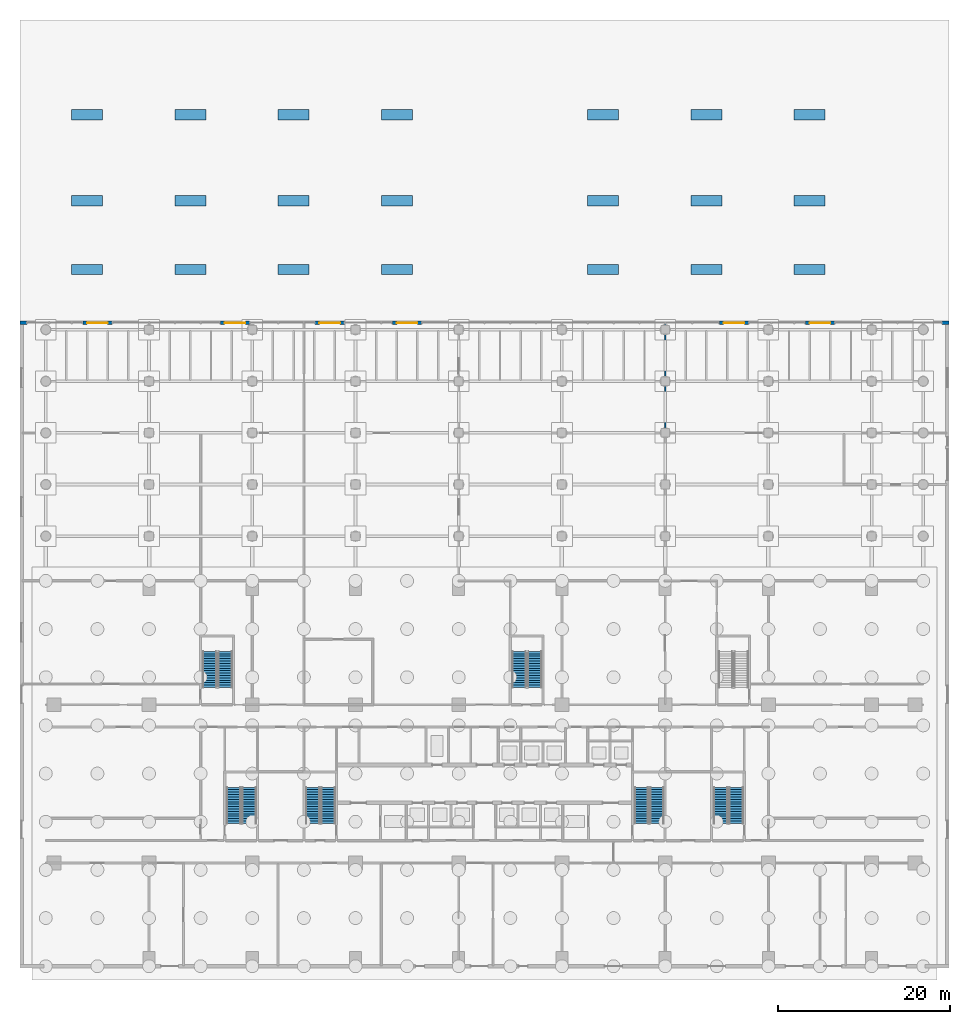
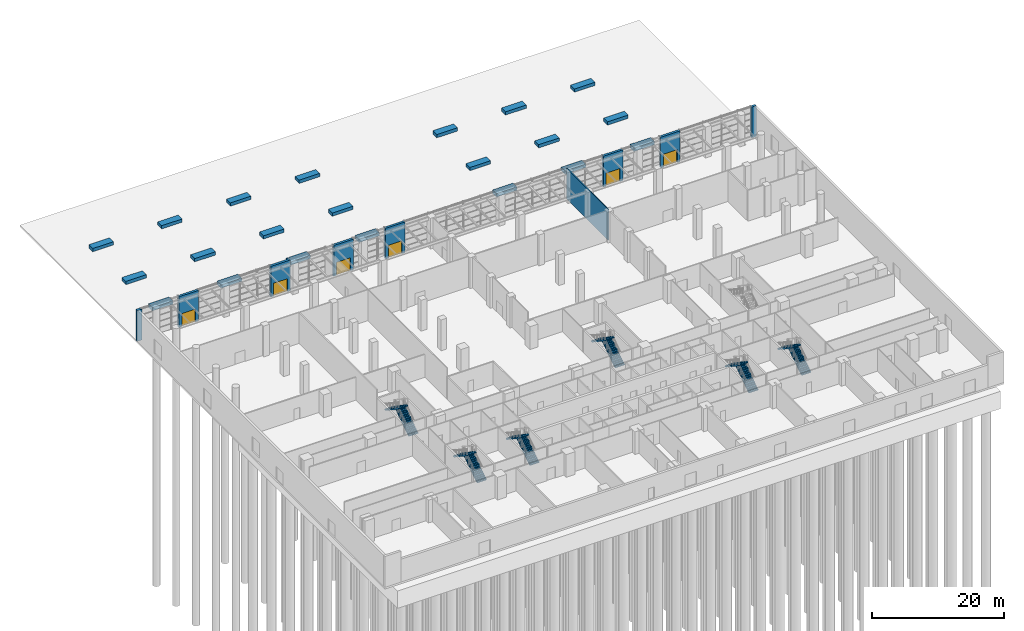
# One storey, part 23 of 27: 30 walls, 12 stair flights, 6 doors, 6 openings, 6 elements without a shape of their own.
"""IFC4 building model written with IfcOpenShell, lengths in metres."""

from ifc_helpers import new_model, si_unit, direction, frame, frame_2d, origin, place, context, subcontext, project, spatial, polyline, rectangle, outline, extrude, source, transform, mapped, material, layer, layer_set, type_object, element, fill, aggregate, save


model = new_model("IFC4")

# Units and contexts
model_context = context("Model", 3, precision=1e-05, world=origin(), true_north=direction((0.0, 1.0)))
body_context = subcontext(model_context, "Body", "Model", "MODEL_VIEW")
ifc_project = project(units=[si_unit("LENGTHUNIT", "METRE"), si_unit("AREAUNIT", "SQUARE_METRE"), si_unit("VOLUMEUNIT", "CUBIC_METRE"), si_unit("PLANEANGLEUNIT", "RADIAN"), si_unit("MASSUNIT", "GRAM", prefix="KILO")], contexts=[model_context])

# Site, building, storey
site_placement = place(None, origin())
site = spatial("IfcSite", under=ifc_project, at=site_placement, CompositionType="ELEMENT")
building_placement = place(site_placement, origin())
building = spatial("IfcBuilding", under=site, at=building_placement, Name="Poui Terraces", CompositionType="ELEMENT")
storey_placement = place(building_placement, origin())
storey = spatial("IfcBuildingStorey", under=building, at=storey_placement, Name="L00", CompositionType="ELEMENT", Elevation=0.0)

# Walls
ifc_material_1 = material(Name="Fire-rated plasterboard wall")
ifc_layer_1 = layer(ifc_material_1, 0.14990234375)
ifc_layer_set_1 = layer_set([ifc_layer_1], Name="Fire-rated plasterboard wall")
wall_type_1 = type_object("IfcWallType", Name="CORRIDOR WALL 150 5680 HIGH", PredefinedType="PARTITIONING", material=ifc_layer_set_1)
wall_1_placement = place(storey_placement, frame((72.0, 62.10009765625, 0.0), z_axis=(0.0, 0.0, 1.0), x_axis=(0.0, 1.0, 0.0)))
element("IfcWall", 1, at=wall_1_placement, inside=storey, type_object=wall_type_1, Name="CORRIDOR WALL 150", PredefinedType="PARTITIONING", context=body_context, shape_type="SweptSolid", body=[
    extrude(rectangle(XDim=12.639892578125, YDim=0.14990234375, at=frame_2d((6.31982421875, 0.0))), origin(), (0.0, 0.0, 1.0), 5.679931640625),
])
ifc_material_2 = material(Name="Precast concrete 40 MPa", Category="concrete")
ifc_layer_2 = layer(ifc_material_2, 0.39990234375)
ifc_layer_set_2 = layer_set([ifc_layer_2], Name="Precast concrete 40 MPa")
wall_type_2 = type_object("IfcWallType", Name="EXTERNAL WALL 400", PredefinedType="STANDARD", material=ifc_layer_set_2)
wall_2_placement = place(storey_placement, frame((105.0, 74.800048828125, 0.0), z_axis=(0.0, 0.0, 1.0), x_axis=(-1.0, 0.0, 0.0)))
element("IfcWall", 2, at=wall_2_placement, inside=storey, type_object=wall_type_2, Name="EXTERNAL WALL N", PredefinedType="STANDARD", context=body_context, shape_type="SweptSolid", body=[
    extrude(rectangle(XDim=0.800048828125, YDim=0.39990234375, at=frame_2d((0.39990234375, 0.0))), origin(), (0.0, 0.0, 1.0), 5.679931640625),
])

# Wall, opening, door
wall_3_placement = place(storey_placement, frame((91.699951171875, 74.800048828125, 0.0), z_axis=(0.0, 0.0, 1.0), x_axis=(-1.0, 0.0, 0.0)))
wall_3 = element("IfcWall", 3, at=wall_3_placement, inside=storey, type_object=wall_type_2, Name="EXTERNAL WALL N", PredefinedType="STANDARD", context=body_context, shape_type="SweptSolid", body=[
    extrude(rectangle(XDim=3.39990234375, YDim=0.39990234375, at=frame_2d((1.699951171875, 0.0))), origin(), (0.0, 0.0, 1.0), 5.679931640625),
])
opening_1_placement = place(wall_3_placement, frame((0.5, 0.0, 0.0)))
opening_1 = element("IfcOpeningElement", 4, at=opening_1_placement, cuts=wall_3, Name="Opening XSD240", PredefinedType="OPENING", context=body_context, shape_type="SweptSolid", body=[
    extrude(rectangle(XDim=2.39990234375, YDim=2.39990234375, at=frame_2d((1.199951171875, 1.199951171875))), frame((0.0, 0.2099609375, 0.0), z_axis=(0.0, -1.0, 0.0), x_axis=(1.0, 0.0, 0.0)), (0.0, 0.0, 1.0), 0.419921875),
])
ifc_material_3 = material(Name="Aluminium glazed sliding door", Category="aluminium")
door_type = type_object("IfcDoorType", Name="AUTOMATIC ENTRANCE DOOR 2400 X 2400", OperationType="DOUBLE_DOOR_SLIDING", PredefinedType="DOOR", material=ifc_material_3)
door_1_placement = place(opening_1_placement, origin())
door_1 = element("IfcDoor", 5, at=door_1_placement, inside=storey, type_object=door_type, Name="AUTOMATIC ENTRANCE DOOR 017", OperationType="DOUBLE_DOOR_SLIDING", OverallHeight=2.39990234375, OverallWidth=2.39990234375, PredefinedType="DOOR", context=body_context, shape_type="SweptSolid", body=[
    extrude(rectangle(XDim=2.39990234375, YDim=2.39990234375, at=frame_2d((1.199951171875, 1.199951171875))), frame((0.0, 0.02490234375, 0.0), z_axis=(0.0, -1.0, 0.0), x_axis=(1.0, 0.0, 0.0)), (0.0, 0.0, 1.0), 0.050048828125),
])
fill(opening_1, door_1)

wall_4_placement = place(storey_placement, frame((81.699951171875, 74.800048828125, 0.0), z_axis=(0.0, 0.0, 1.0), x_axis=(-1.0, 0.0, 0.0)))
wall_4 = element("IfcWall", 6, at=wall_4_placement, inside=storey, type_object=wall_type_2, Name="EXTERNAL WALL N", PredefinedType="STANDARD", context=body_context, shape_type="SweptSolid", body=[
    extrude(rectangle(XDim=3.39990234375, YDim=0.39990234375, at=frame_2d((1.699951171875, 0.0))), origin(), (0.0, 0.0, 1.0), 5.679931640625),
])
opening_2_placement = place(wall_4_placement, frame((0.5, 0.0, 0.0)))
opening_2 = element("IfcOpeningElement", 7, at=opening_2_placement, cuts=wall_4, Name="Opening XSD240", PredefinedType="OPENING", context=body_context, shape_type="SweptSolid", body=[
    extrude(rectangle(XDim=2.39990234375, YDim=2.39990234375, at=frame_2d((1.199951171875, 1.199951171875))), frame((0.0, 0.2099609375, 0.0), z_axis=(0.0, -1.0, 0.0), x_axis=(1.0, 0.0, 0.0)), (0.0, 0.0, 1.0), 0.419921875),
])
door_2_placement = place(opening_2_placement, origin())
door_2 = element("IfcDoor", 8, at=door_2_placement, inside=storey, type_object=door_type, Name="AUTOMATIC ENTRANCE DOOR 015", OperationType="DOUBLE_DOOR_SLIDING", OverallHeight=2.39990234375, OverallWidth=2.39990234375, PredefinedType="DOOR", context=body_context, shape_type="SweptSolid", body=[
    extrude(rectangle(XDim=2.39990234375, YDim=2.39990234375, at=frame_2d((1.199951171875, 1.199951171875))), frame((0.0, 0.02490234375, 0.0), z_axis=(0.0, -1.0, 0.0), x_axis=(1.0, 0.0, 0.0)), (0.0, 0.0, 1.0), 0.050048828125),
])
fill(opening_2, door_2)

wall_5_placement = place(storey_placement, frame((43.699951171875, 74.800048828125, 0.0), z_axis=(0.0, 0.0, 1.0), x_axis=(-1.0, 0.0, 0.0)))
wall_5 = element("IfcWall", 9, at=wall_5_placement, inside=storey, type_object=wall_type_2, Name="EXTERNAL WALL N", PredefinedType="STANDARD", context=body_context, shape_type="SweptSolid", body=[
    extrude(rectangle(XDim=3.39990234375, YDim=0.39990234375, at=frame_2d((1.699951171875, 0.0))), origin(), (0.0, 0.0, 1.0), 5.679931640625),
])
opening_3_placement = place(wall_5_placement, frame((0.5, 0.0, 0.0)))
opening_3 = element("IfcOpeningElement", 10, at=opening_3_placement, cuts=wall_5, Name="Opening XSD240", PredefinedType="OPENING", context=body_context, shape_type="SweptSolid", body=[
    extrude(rectangle(XDim=2.39990234375, YDim=2.39990234375, at=frame_2d((1.199951171875, 1.199951171875))), frame((0.0, 0.2099609375, 0.0), z_axis=(0.0, -1.0, 0.0), x_axis=(1.0, 0.0, 0.0)), (0.0, 0.0, 1.0), 0.419921875),
])
door_3_placement = place(opening_3_placement, origin())
door_3 = element("IfcDoor", 11, at=door_3_placement, inside=storey, type_object=door_type, Name="AUTOMATIC ENTRANCE DOOR 086", OperationType="DOUBLE_DOOR_SLIDING", OverallHeight=2.39990234375, OverallWidth=2.39990234375, PredefinedType="DOOR", context=body_context, shape_type="SweptSolid", body=[
    extrude(rectangle(XDim=2.39990234375, YDim=2.39990234375, at=frame_2d((1.199951171875, 1.199951171875))), frame((0.0, 0.02490234375, 0.0), z_axis=(0.0, -1.0, 0.0), x_axis=(1.0, 0.0, 0.0)), (0.0, 0.0, 1.0), 0.050048828125),
])
fill(opening_3, door_3)

wall_6_placement = place(storey_placement, frame((34.699951171875, 74.800048828125, 0.0), z_axis=(0.0, 0.0, 1.0), x_axis=(-1.0, 0.0, 0.0)))
wall_6 = element("IfcWall", 12, at=wall_6_placement, inside=storey, type_object=wall_type_2, Name="EXTERNAL WALL N", PredefinedType="STANDARD", context=body_context, shape_type="SweptSolid", body=[
    extrude(rectangle(XDim=3.39990234375, YDim=0.39990234375, at=frame_2d((1.699951171875, 0.0))), origin(), (0.0, 0.0, 1.0), 5.679931640625),
])
opening_4_placement = place(wall_6_placement, frame((0.5, 0.0, 0.0)))
opening_4 = element("IfcOpeningElement", 13, at=opening_4_placement, cuts=wall_6, Name="Opening XSD240", PredefinedType="OPENING", context=body_context, shape_type="SweptSolid", body=[
    extrude(rectangle(XDim=2.39990234375, YDim=2.39990234375, at=frame_2d((1.199951171875, 1.199951171875))), frame((0.0, 0.2099609375, 0.0), z_axis=(0.0, -1.0, 0.0), x_axis=(1.0, 0.0, 0.0)), (0.0, 0.0, 1.0), 0.419921875),
])
door_4_placement = place(opening_4_placement, origin())
door_4 = element("IfcDoor", 14, at=door_4_placement, inside=storey, type_object=door_type, Name="AUTOMATIC ENTRANCE DOOR 084", OperationType="DOUBLE_DOOR_SLIDING", OverallHeight=2.39990234375, OverallWidth=2.39990234375, PredefinedType="DOOR", context=body_context, shape_type="SweptSolid", body=[
    extrude(rectangle(XDim=2.39990234375, YDim=2.39990234375, at=frame_2d((1.199951171875, 1.199951171875))), frame((0.0, 0.02490234375, 0.0), z_axis=(0.0, -1.0, 0.0), x_axis=(1.0, 0.0, 0.0)), (0.0, 0.0, 1.0), 0.050048828125),
])
fill(opening_4, door_4)

wall_7_placement = place(storey_placement, frame((23.699951171875, 74.800048828125, 0.0), z_axis=(0.0, 0.0, 1.0), x_axis=(-1.0, 0.0, 0.0)))
wall_7 = element("IfcWall", 15, at=wall_7_placement, inside=storey, type_object=wall_type_2, Name="EXTERNAL WALL N", PredefinedType="STANDARD", context=body_context, shape_type="SweptSolid", body=[
    extrude(rectangle(XDim=3.39990234375, YDim=0.39990234375, at=frame_2d((1.699951171875, 0.0))), origin(), (0.0, 0.0, 1.0), 5.679931640625),
])
opening_5_placement = place(wall_7_placement, frame((0.5, 0.0, 0.0)))
opening_5 = element("IfcOpeningElement", 16, at=opening_5_placement, cuts=wall_7, Name="Opening XSD240", PredefinedType="OPENING", context=body_context, shape_type="SweptSolid", body=[
    extrude(rectangle(XDim=2.39990234375, YDim=2.39990234375, at=frame_2d((1.199951171875, 1.199951171875))), frame((0.0, 0.2099609375, 0.0), z_axis=(0.0, -1.0, 0.0), x_axis=(1.0, 0.0, 0.0)), (0.0, 0.0, 1.0), 0.419921875),
])
door_5_placement = place(opening_5_placement, origin())
door_5 = element("IfcDoor", 17, at=door_5_placement, inside=storey, type_object=door_type, Name="AUTOMATIC ENTRANCE DOOR 068", OperationType="DOUBLE_DOOR_SLIDING", OverallHeight=2.39990234375, OverallWidth=2.39990234375, PredefinedType="DOOR", context=body_context, shape_type="SweptSolid", body=[
    extrude(rectangle(XDim=2.39990234375, YDim=2.39990234375, at=frame_2d((1.199951171875, 1.199951171875))), frame((0.0, 0.02490234375, 0.0), z_axis=(0.0, -1.0, 0.0), x_axis=(1.0, 0.0, 0.0)), (0.0, 0.0, 1.0), 0.050048828125),
])
fill(opening_5, door_5)

wall_8_placement = place(storey_placement, frame((7.699951171875, 74.800048828125, 0.0), z_axis=(0.0, 0.0, 1.0), x_axis=(-1.0, 0.0, 0.0)))
wall_8 = element("IfcWall", 18, at=wall_8_placement, inside=storey, type_object=wall_type_2, Name="EXTERNAL WALL N", PredefinedType="STANDARD", context=body_context, shape_type="SweptSolid", body=[
    extrude(rectangle(XDim=3.39990234375, YDim=0.39990234375, at=frame_2d((1.699951171875, 0.0))), origin(), (0.0, 0.0, 1.0), 5.679931640625),
])
opening_6_placement = place(wall_8_placement, frame((0.5, 0.0, 0.0)))
opening_6 = element("IfcOpeningElement", 19, at=opening_6_placement, cuts=wall_8, Name="Opening XSD240", PredefinedType="OPENING", context=body_context, shape_type="SweptSolid", body=[
    extrude(rectangle(XDim=2.39990234375, YDim=2.39990234375, at=frame_2d((1.199951171875, 1.199951171875))), frame((0.0, 0.2099609375, 0.0), z_axis=(0.0, -1.0, 0.0), x_axis=(1.0, 0.0, 0.0)), (0.0, 0.0, 1.0), 0.419921875),
])
door_6_placement = place(opening_6_placement, origin())
door_6 = element("IfcDoor", 20, at=door_6_placement, inside=storey, type_object=door_type, Name="AUTOMATIC ENTRANCE DOOR 066", OperationType="DOUBLE_DOOR_SLIDING", OverallHeight=2.39990234375, OverallWidth=2.39990234375, PredefinedType="DOOR", context=body_context, shape_type="SweptSolid", body=[
    extrude(rectangle(XDim=2.39990234375, YDim=2.39990234375, at=frame_2d((1.199951171875, 1.199951171875))), frame((0.0, 0.02490234375, 0.0), z_axis=(0.0, -1.0, 0.0), x_axis=(1.0, 0.0, 0.0)), (0.0, 0.0, 1.0), 0.050048828125),
])
fill(opening_6, door_6)

# Walls
wall_9_placement = place(storey_placement, frame((-2.199951171875, 74.800048828125, 0.0), z_axis=(0.0, 0.0, 1.0), x_axis=(-1.0, 0.0, 0.0)))
element("IfcWall", 21, at=wall_9_placement, inside=storey, type_object=wall_type_2, Name="EXTERNAL WALL N", PredefinedType="STANDARD", context=body_context, shape_type="SweptSolid", body=[
    extrude(rectangle(XDim=0.800048828125, YDim=0.39990234375, at=frame_2d((0.39990234375, 0.0))), origin(), (0.0, 0.0, 1.0), 5.679931640625),
])
ifc_layer_3 = layer(ifc_material_2, 1.199951171875)
ifc_layer_set_3 = layer_set([ifc_layer_3], Name="Precast concrete 40 MPa")
wall_type_3 = type_object("IfcWallType", Name="PLANTER 600", PredefinedType="USERDEFINED", material=ifc_layer_set_3)
shared_shape = source(origin(), body_context, "Body", "SweptSolid", [
    extrude(outline(polyline([(0.0, 0.0), (3.60009765625, 0.0), (3.60009765625, 1.2001953125), (0.0, 1.2001953125), (0.0, 0.0)])), origin(), (0.0, 0.0, 1.0), 0.60009765625),
])
for number, where, name in (
    (22, (3.0, 80.39990234375, 0.0), "PLANTER"),
    (23, (15.0, 80.39990234375, 0.0), "PLANTER"),
    (24, (27.0, 80.39990234375, 0.0), "PLANTER"),
    (25, (39.0, 80.39990234375, 0.0), "PLANTER"),
    (26, (63.0, 80.39990234375, 0.0), "PLANTER"),
    (27, (75.0, 80.39990234375, 0.0), "PLANTER"),
    (28, (87.0, 80.39990234375, 0.0), "PLANTER"),
    (29, (3.0, 88.39990234375, 0.0), "PLANTER"),
    (30, (15.0, 88.39990234375, 0.0), "PLANTER"),
    (31, (27.0, 88.39990234375, 0.0), "PLANTER"),
    (32, (39.0, 88.39990234375, 0.0), "PLANTER"),
    (33, (63.0, 88.39990234375, 0.0), "PLANTER"),
    (34, (75.0, 88.39990234375, 0.0), "PLANTER"),
    (35, (87.0, 88.39990234375, 0.0), "PLANTER"),
    (36, (3.0, 98.39990234375, 0.0), "PLANTER"),
    (37, (15.0, 98.39990234375, 0.0), "PLANTER"),
    (38, (27.0, 98.39990234375, 0.0), "PLANTER"),
    (39, (39.0, 98.39990234375, 0.0), "PLANTER"),
    (40, (63.0, 98.39990234375, 0.0), "PLANTER"),
    (41, (75.0, 98.39990234375, 0.0), "PLANTER"),
    (42, (87.0, 98.39990234375, 0.0), "PLANTER"),
):
    element("IfcWall", number, at=place(storey_placement, frame(where)), inside=storey, type_object=wall_type_3, Name=name, ObjectType="PLANTER", PredefinedType="USERDEFINED", context=body_context, shape_type="MappedRepresentation", body=[
        mapped(shared_shape, transform((0.0, 0.0, 0.0))),
    ])

# Stair, stair flights
ifc_material_4 = material(Name="Concrete 80 MPa", Category="concrete")
stair_type = type_object("IfcStairType", Name="EXIT STAIR 1650 80 MPA", PredefinedType="HALF_TURN_STAIR", material=ifc_material_4)
stair_1_placement = place(storey_placement, origin())
stair_1 = element("IfcStair", 43, at=stair_1_placement, inside=storey, type_object=stair_type, Name="L00 CORE STAIR EAST", PredefinedType="HALF_TURN_STAIR")
ifc_layer_4 = layer(ifc_material_4, 0.14990234375)
ifc_layer_set_4 = layer_set([ifc_layer_4], Name="Concrete 80 MPa")
stair_flight_type = type_object("IfcStairFlightType", Name="STAIR FLIGHT 16 RISERS 188 RISE 80 MPA", PredefinedType="STRAIGHT", material=ifc_layer_set_4)
stair_flight_1_placement = place(storey_placement, frame((71.050048828125, 16.60009765625, 0.0), z_axis=(0.0, 0.0, 1.0), x_axis=(0.0, 1.0, 0.0)))
stair_flight_1 = element("IfcStairFlight", 44, at=stair_flight_1_placement, type_object=stair_flight_type, Name="ST-CE flight 1", NumberOfRisers=16, NumberOfTreads=15, PredefinedType="STRAIGHT", RiserHeight=0.1875, TreadLength=0.28, context=body_context, shape_type="SweptSolid", body=[
    extrude(outline(polyline([(0.0, 0.0), (0.0, 0.1875), (0.280029296875, 0.1875), (0.280029296875, 0.375), (0.56005859375, 0.375), (0.56005859375, 0.5625), (0.840087890625, 0.5625), (0.840087890625, 0.75), (1.1201171875, 0.75), (1.1201171875, 0.9375), (1.39990234375, 0.9375), (1.39990234375, 1.125), (1.679931640625, 1.125), (1.679931640625, 1.3125), (1.9599609375, 1.3125), (1.9599609375, 1.5), (2.239990234375, 1.5), (2.239990234375, 1.6875), (2.52001953125, 1.6875), (2.52001953125, 1.875), (2.800048828125, 1.875), (2.800048828125, 2.0625), (3.080078125, 2.0625), (3.080078125, 2.25), (3.360107421875, 2.25), (3.360107421875, 2.4375), (3.639892578125, 2.4375), (3.639892578125, 2.625), (3.919921875, 2.625), (3.919921875, 2.8125), (4.199951171875, 2.8125), (4.199951171875, 3.0), (4.199951171875, 2.632080078125), (0.26953125, 0.0), (0.0, 0.0)])), frame((0.0, 0.824951171875, 0.0), z_axis=(0.0, -1.0, 0.0), x_axis=(1.0, 0.0, 0.0)), (0.0, 0.0, 1.0), 1.64990234375),
])
stair_flight_2_placement = place(storey_placement, frame((69.25, 20.800048828125, 3.0), z_axis=(0.0, 0.0, 1.0), x_axis=(0.0, -1.0, 0.0)))
stair_flight_2 = element("IfcStairFlight", 45, at=stair_flight_2_placement, type_object=stair_flight_type, Name="ST-CE flight 2", NumberOfRisers=16, NumberOfTreads=15, PredefinedType="STRAIGHT", RiserHeight=0.1875, TreadLength=0.28, context=body_context, shape_type="SweptSolid", body=[
    extrude(outline(polyline([(0.0, 0.0), (0.0, 0.1875), (0.280029296875, 0.1875), (0.280029296875, 0.375), (0.56005859375, 0.375), (0.56005859375, 0.5625), (0.840087890625, 0.5625), (0.840087890625, 0.75), (1.1201171875, 0.75), (1.1201171875, 0.9375), (1.39990234375, 0.9375), (1.39990234375, 1.125), (1.679931640625, 1.125), (1.679931640625, 1.3125), (1.9599609375, 1.3125), (1.9599609375, 1.5), (2.239990234375, 1.5), (2.239990234375, 1.6875), (2.52001953125, 1.6875), (2.52001953125, 1.875), (2.800048828125, 1.875), (2.800048828125, 2.0625), (3.080078125, 2.0625), (3.080078125, 2.25), (3.360107421875, 2.25), (3.360107421875, 2.4375), (3.639892578125, 2.4375), (3.639892578125, 2.625), (3.919921875, 2.625), (3.919921875, 2.8125), (4.199951171875, 2.8125), (4.199951171875, 3.0), (4.199951171875, 2.632080078125), (0.26953125, 0.0), (0.0, 0.0)])), frame((0.0, 0.824951171875, 0.0), z_axis=(0.0, -1.0, 0.0), x_axis=(1.0, 0.0, 0.0)), (0.0, 0.0, 1.0), 1.64990234375),
])
aggregate(stair_1, [stair_flight_1, stair_flight_2])

stair_2_placement = place(storey_placement, origin())
stair_2 = element("IfcStair", 46, at=stair_2_placement, inside=storey, type_object=stair_type, Name="L00 CORE STAIR WEST", PredefinedType="HALF_TURN_STAIR")
stair_flight_3_placement = place(storey_placement, frame((32.85009765625, 16.60009765625, 0.0), z_axis=(0.0, 0.0, 1.0), x_axis=(0.0, 1.0, 0.0)))
stair_flight_3 = element("IfcStairFlight", 47, at=stair_flight_3_placement, type_object=stair_flight_type, Name="ST-CW flight 1", NumberOfRisers=16, NumberOfTreads=15, PredefinedType="STRAIGHT", RiserHeight=0.1875, TreadLength=0.28, context=body_context, shape_type="SweptSolid", body=[
    extrude(outline(polyline([(0.0, 0.0), (0.0, 0.1875), (0.280029296875, 0.1875), (0.280029296875, 0.375), (0.56005859375, 0.375), (0.56005859375, 0.5625), (0.840087890625, 0.5625), (0.840087890625, 0.75), (1.1201171875, 0.75), (1.1201171875, 0.9375), (1.39990234375, 0.9375), (1.39990234375, 1.125), (1.679931640625, 1.125), (1.679931640625, 1.3125), (1.9599609375, 1.3125), (1.9599609375, 1.5), (2.239990234375, 1.5), (2.239990234375, 1.6875), (2.52001953125, 1.6875), (2.52001953125, 1.875), (2.800048828125, 1.875), (2.800048828125, 2.0625), (3.080078125, 2.0625), (3.080078125, 2.25), (3.360107421875, 2.25), (3.360107421875, 2.4375), (3.639892578125, 2.4375), (3.639892578125, 2.625), (3.919921875, 2.625), (3.919921875, 2.8125), (4.199951171875, 2.8125), (4.199951171875, 3.0), (4.199951171875, 2.632080078125), (0.26953125, 0.0), (0.0, 0.0)])), frame((0.0, 0.824951171875, 0.0), z_axis=(0.0, -1.0, 0.0), x_axis=(1.0, 0.0, 0.0)), (0.0, 0.0, 1.0), 1.64990234375),
])
stair_flight_4_placement = place(storey_placement, frame((31.050048828125, 20.800048828125, 3.0), z_axis=(0.0, 0.0, 1.0), x_axis=(0.0, -1.0, 0.0)))
stair_flight_4 = element("IfcStairFlight", 48, at=stair_flight_4_placement, type_object=stair_flight_type, Name="ST-CW flight 2", NumberOfRisers=16, NumberOfTreads=15, PredefinedType="STRAIGHT", RiserHeight=0.1875, TreadLength=0.28, context=body_context, shape_type="SweptSolid", body=[
    extrude(outline(polyline([(0.0, 0.0), (0.0, 0.1875), (0.280029296875, 0.1875), (0.280029296875, 0.375), (0.56005859375, 0.375), (0.56005859375, 0.5625), (0.840087890625, 0.5625), (0.840087890625, 0.75), (1.1201171875, 0.75), (1.1201171875, 0.9375), (1.39990234375, 0.9375), (1.39990234375, 1.125), (1.679931640625, 1.125), (1.679931640625, 1.3125), (1.9599609375, 1.3125), (1.9599609375, 1.5), (2.239990234375, 1.5), (2.239990234375, 1.6875), (2.52001953125, 1.6875), (2.52001953125, 1.875), (2.800048828125, 1.875), (2.800048828125, 2.0625), (3.080078125, 2.0625), (3.080078125, 2.25), (3.360107421875, 2.25), (3.360107421875, 2.4375), (3.639892578125, 2.4375), (3.639892578125, 2.625), (3.919921875, 2.625), (3.919921875, 2.8125), (4.199951171875, 2.8125), (4.199951171875, 3.0), (4.199951171875, 2.632080078125), (0.26953125, 0.0), (0.0, 0.0)])), frame((0.0, 0.824951171875, 0.0), z_axis=(0.0, -1.0, 0.0), x_axis=(1.0, 0.0, 0.0)), (0.0, 0.0, 1.0), 1.64990234375),
])
aggregate(stair_2, [stair_flight_3, stair_flight_4])

stair_3_placement = place(storey_placement, origin())
stair_3 = element("IfcStair", 49, at=stair_3_placement, inside=storey, type_object=stair_type, Name="L00 TIP STAIR EAST", PredefinedType="HALF_TURN_STAIR")
stair_flight_5_placement = place(storey_placement, frame((80.25, 16.60009765625, 0.0), z_axis=(0.0, 0.0, 1.0), x_axis=(0.0, 1.0, 0.0)))
stair_flight_5 = element("IfcStairFlight", 50, at=stair_flight_5_placement, type_object=stair_flight_type, Name="ST-E flight 1", NumberOfRisers=16, NumberOfTreads=15, PredefinedType="STRAIGHT", RiserHeight=0.1875, TreadLength=0.28, context=body_context, shape_type="SweptSolid", body=[
    extrude(outline(polyline([(0.0, 0.0), (0.0, 0.1875), (0.280029296875, 0.1875), (0.280029296875, 0.375), (0.56005859375, 0.375), (0.56005859375, 0.5625), (0.840087890625, 0.5625), (0.840087890625, 0.75), (1.1201171875, 0.75), (1.1201171875, 0.9375), (1.39990234375, 0.9375), (1.39990234375, 1.125), (1.679931640625, 1.125), (1.679931640625, 1.3125), (1.9599609375, 1.3125), (1.9599609375, 1.5), (2.239990234375, 1.5), (2.239990234375, 1.6875), (2.52001953125, 1.6875), (2.52001953125, 1.875), (2.800048828125, 1.875), (2.800048828125, 2.0625), (3.080078125, 2.0625), (3.080078125, 2.25), (3.360107421875, 2.25), (3.360107421875, 2.4375), (3.639892578125, 2.4375), (3.639892578125, 2.625), (3.919921875, 2.625), (3.919921875, 2.8125), (4.199951171875, 2.8125), (4.199951171875, 3.0), (4.199951171875, 2.632080078125), (0.26953125, 0.0), (0.0, 0.0)])), frame((0.0, 0.824951171875, 0.0), z_axis=(0.0, -1.0, 0.0), x_axis=(1.0, 0.0, 0.0)), (0.0, 0.0, 1.0), 1.64990234375),
])
stair_flight_6_placement = place(storey_placement, frame((78.449951171875, 20.800048828125, 3.0), z_axis=(0.0, 0.0, 1.0), x_axis=(0.0, -1.0, 0.0)))
stair_flight_6 = element("IfcStairFlight", 51, at=stair_flight_6_placement, type_object=stair_flight_type, Name="ST-E flight 2", NumberOfRisers=16, NumberOfTreads=15, PredefinedType="STRAIGHT", RiserHeight=0.1875, TreadLength=0.28, context=body_context, shape_type="SweptSolid", body=[
    extrude(outline(polyline([(0.0, 0.0), (0.0, 0.1875), (0.280029296875, 0.1875), (0.280029296875, 0.375), (0.56005859375, 0.375), (0.56005859375, 0.5625), (0.840087890625, 0.5625), (0.840087890625, 0.75), (1.1201171875, 0.75), (1.1201171875, 0.9375), (1.39990234375, 0.9375), (1.39990234375, 1.125), (1.679931640625, 1.125), (1.679931640625, 1.3125), (1.9599609375, 1.3125), (1.9599609375, 1.5), (2.239990234375, 1.5), (2.239990234375, 1.6875), (2.52001953125, 1.6875), (2.52001953125, 1.875), (2.800048828125, 1.875), (2.800048828125, 2.0625), (3.080078125, 2.0625), (3.080078125, 2.25), (3.360107421875, 2.25), (3.360107421875, 2.4375), (3.639892578125, 2.4375), (3.639892578125, 2.625), (3.919921875, 2.625), (3.919921875, 2.8125), (4.199951171875, 2.8125), (4.199951171875, 3.0), (4.199951171875, 2.632080078125), (0.26953125, 0.0), (0.0, 0.0)])), frame((0.0, 0.824951171875, 0.0), z_axis=(0.0, -1.0, 0.0), x_axis=(1.0, 0.0, 0.0)), (0.0, 0.0, 1.0), 1.64990234375),
])
aggregate(stair_3, [stair_flight_5, stair_flight_6])

stair_4_placement = place(storey_placement, origin())
stair_4 = element("IfcStair", 52, at=stair_4_placement, inside=storey, type_object=stair_type, Name="L00 TIP STAIR WEST", PredefinedType="HALF_TURN_STAIR")
stair_flight_7_placement = place(storey_placement, frame((23.64990234375, 16.60009765625, 0.0), z_axis=(0.0, 0.0, 1.0), x_axis=(0.0, 1.0, 0.0)))
stair_flight_7 = element("IfcStairFlight", 53, at=stair_flight_7_placement, type_object=stair_flight_type, Name="ST-W flight 1", NumberOfRisers=16, NumberOfTreads=15, PredefinedType="STRAIGHT", RiserHeight=0.1875, TreadLength=0.28, context=body_context, shape_type="SweptSolid", body=[
    extrude(outline(polyline([(0.0, 0.0), (0.0, 0.1875), (0.280029296875, 0.1875), (0.280029296875, 0.375), (0.56005859375, 0.375), (0.56005859375, 0.5625), (0.840087890625, 0.5625), (0.840087890625, 0.75), (1.1201171875, 0.75), (1.1201171875, 0.9375), (1.39990234375, 0.9375), (1.39990234375, 1.125), (1.679931640625, 1.125), (1.679931640625, 1.3125), (1.9599609375, 1.3125), (1.9599609375, 1.5), (2.239990234375, 1.5), (2.239990234375, 1.6875), (2.52001953125, 1.6875), (2.52001953125, 1.875), (2.800048828125, 1.875), (2.800048828125, 2.0625), (3.080078125, 2.0625), (3.080078125, 2.25), (3.360107421875, 2.25), (3.360107421875, 2.4375), (3.639892578125, 2.4375), (3.639892578125, 2.625), (3.919921875, 2.625), (3.919921875, 2.8125), (4.199951171875, 2.8125), (4.199951171875, 3.0), (4.199951171875, 2.632080078125), (0.26953125, 0.0), (0.0, 0.0)])), frame((0.0, 0.824951171875, 0.0), z_axis=(0.0, -1.0, 0.0), x_axis=(1.0, 0.0, 0.0)), (0.0, 0.0, 1.0), 1.64990234375),
])
stair_flight_8_placement = place(storey_placement, frame((21.85009765625, 20.800048828125, 3.0), z_axis=(0.0, 0.0, 1.0), x_axis=(0.0, -1.0, 0.0)))
stair_flight_8 = element("IfcStairFlight", 54, at=stair_flight_8_placement, type_object=stair_flight_type, Name="ST-W flight 2", NumberOfRisers=16, NumberOfTreads=15, PredefinedType="STRAIGHT", RiserHeight=0.1875, TreadLength=0.28, context=body_context, shape_type="SweptSolid", body=[
    extrude(outline(polyline([(0.0, 0.0), (0.0, 0.1875), (0.280029296875, 0.1875), (0.280029296875, 0.375), (0.56005859375, 0.375), (0.56005859375, 0.5625), (0.840087890625, 0.5625), (0.840087890625, 0.75), (1.1201171875, 0.75), (1.1201171875, 0.9375), (1.39990234375, 0.9375), (1.39990234375, 1.125), (1.679931640625, 1.125), (1.679931640625, 1.3125), (1.9599609375, 1.3125), (1.9599609375, 1.5), (2.239990234375, 1.5), (2.239990234375, 1.6875), (2.52001953125, 1.6875), (2.52001953125, 1.875), (2.800048828125, 1.875), (2.800048828125, 2.0625), (3.080078125, 2.0625), (3.080078125, 2.25), (3.360107421875, 2.25), (3.360107421875, 2.4375), (3.639892578125, 2.4375), (3.639892578125, 2.625), (3.919921875, 2.625), (3.919921875, 2.8125), (4.199951171875, 2.8125), (4.199951171875, 3.0), (4.199951171875, 2.632080078125), (0.26953125, 0.0), (0.0, 0.0)])), frame((0.0, 0.824951171875, 0.0), z_axis=(0.0, -1.0, 0.0), x_axis=(1.0, 0.0, 0.0)), (0.0, 0.0, 1.0), 1.64990234375),
])
aggregate(stair_4, [stair_flight_7, stair_flight_8])

stair_5_placement = place(storey_placement, origin())
stair_5 = element("IfcStair", 55, at=stair_5_placement, inside=storey, type_object=stair_type, Name="L00 PODIUM STAIR 1", PredefinedType="HALF_TURN_STAIR")
stair_flight_9_placement = place(storey_placement, frame((20.85009765625, 32.39990234375, 0.0), z_axis=(0.0, 0.0, 1.0), x_axis=(0.0, 1.0, 0.0)))
stair_flight_9 = element("IfcStairFlight", 56, at=stair_flight_9_placement, type_object=stair_flight_type, Name="ST-N1 flight 1", NumberOfRisers=16, NumberOfTreads=15, PredefinedType="STRAIGHT", RiserHeight=0.1875, TreadLength=0.28, context=body_context, shape_type="SweptSolid", body=[
    extrude(outline(polyline([(0.0, 0.0), (0.0, 0.1875), (0.280029296875, 0.1875), (0.280029296875, 0.375), (0.56005859375, 0.375), (0.56005859375, 0.5625), (0.840087890625, 0.5625), (0.840087890625, 0.75), (1.1201171875, 0.75), (1.1201171875, 0.9375), (1.39990234375, 0.9375), (1.39990234375, 1.125), (1.679931640625, 1.125), (1.679931640625, 1.3125), (1.9599609375, 1.3125), (1.9599609375, 1.5), (2.239990234375, 1.5), (2.239990234375, 1.6875), (2.52001953125, 1.6875), (2.52001953125, 1.875), (2.800048828125, 1.875), (2.800048828125, 2.0625), (3.080078125, 2.0625), (3.080078125, 2.25), (3.360107421875, 2.25), (3.360107421875, 2.4375), (3.639892578125, 2.4375), (3.639892578125, 2.625), (3.919921875, 2.625), (3.919921875, 2.8125), (4.199951171875, 2.8125), (4.199951171875, 3.0), (4.199951171875, 2.632080078125), (0.26953125, 0.0), (0.0, 0.0)])), frame((0.0, 0.824951171875, 0.0), z_axis=(0.0, -1.0, 0.0), x_axis=(1.0, 0.0, 0.0)), (0.0, 0.0, 1.0), 1.64990234375),
])
stair_flight_10_placement = place(storey_placement, frame((19.050048828125, 36.60009765625, 3.0), z_axis=(0.0, 0.0, 1.0), x_axis=(0.0, -1.0, 0.0)))
stair_flight_10 = element("IfcStairFlight", 57, at=stair_flight_10_placement, type_object=stair_flight_type, Name="ST-N1 flight 2", NumberOfRisers=16, NumberOfTreads=15, PredefinedType="STRAIGHT", RiserHeight=0.1875, TreadLength=0.28, context=body_context, shape_type="SweptSolid", body=[
    extrude(outline(polyline([(0.0, 0.0), (0.0, 0.1875), (0.280029296875, 0.1875), (0.280029296875, 0.375), (0.56005859375, 0.375), (0.56005859375, 0.5625), (0.840087890625, 0.5625), (0.840087890625, 0.75), (1.1201171875, 0.75), (1.1201171875, 0.9375), (1.39990234375, 0.9375), (1.39990234375, 1.125), (1.679931640625, 1.125), (1.679931640625, 1.3125), (1.9599609375, 1.3125), (1.9599609375, 1.5), (2.239990234375, 1.5), (2.239990234375, 1.6875), (2.52001953125, 1.6875), (2.52001953125, 1.875), (2.800048828125, 1.875), (2.800048828125, 2.0625), (3.080078125, 2.0625), (3.080078125, 2.25), (3.360107421875, 2.25), (3.360107421875, 2.4375), (3.639892578125, 2.4375), (3.639892578125, 2.625), (3.919921875, 2.625), (3.919921875, 2.8125), (4.199951171875, 2.8125), (4.199951171875, 3.0), (4.199951171875, 2.632080078125), (0.26953125, 0.0), (0.0, 0.0)])), frame((0.0, 0.824951171875, 0.0), z_axis=(0.0, -1.0, 0.0), x_axis=(1.0, 0.0, 0.0)), (0.0, 0.0, 1.0), 1.64990234375),
])
aggregate(stair_5, [stair_flight_9, stair_flight_10])

stair_6_placement = place(storey_placement, origin())
stair_6 = element("IfcStair", 58, at=stair_6_placement, inside=storey, type_object=stair_type, Name="L00 PODIUM STAIR 3", PredefinedType="HALF_TURN_STAIR")
stair_flight_11_placement = place(storey_placement, frame((56.85009765625, 32.39990234375, 0.0), z_axis=(0.0, 0.0, 1.0), x_axis=(0.0, 1.0, 0.0)))
stair_flight_11 = element("IfcStairFlight", 59, at=stair_flight_11_placement, type_object=stair_flight_type, Name="ST-N3 flight 1", NumberOfRisers=16, NumberOfTreads=15, PredefinedType="STRAIGHT", RiserHeight=0.1875, TreadLength=0.28, context=body_context, shape_type="SweptSolid", body=[
    extrude(outline(polyline([(0.0, 0.0), (0.0, 0.1875), (0.280029296875, 0.1875), (0.280029296875, 0.375), (0.56005859375, 0.375), (0.56005859375, 0.5625), (0.840087890625, 0.5625), (0.840087890625, 0.75), (1.1201171875, 0.75), (1.1201171875, 0.9375), (1.39990234375, 0.9375), (1.39990234375, 1.125), (1.679931640625, 1.125), (1.679931640625, 1.3125), (1.9599609375, 1.3125), (1.9599609375, 1.5), (2.239990234375, 1.5), (2.239990234375, 1.6875), (2.52001953125, 1.6875), (2.52001953125, 1.875), (2.800048828125, 1.875), (2.800048828125, 2.0625), (3.080078125, 2.0625), (3.080078125, 2.25), (3.360107421875, 2.25), (3.360107421875, 2.4375), (3.639892578125, 2.4375), (3.639892578125, 2.625), (3.919921875, 2.625), (3.919921875, 2.8125), (4.199951171875, 2.8125), (4.199951171875, 3.0), (4.199951171875, 2.632080078125), (0.26953125, 0.0), (0.0, 0.0)])), frame((0.0, 0.824951171875, 0.0), z_axis=(0.0, -1.0, 0.0), x_axis=(1.0, 0.0, 0.0)), (0.0, 0.0, 1.0), 1.64990234375),
])
stair_flight_12_placement = place(storey_placement, frame((55.050048828125, 36.60009765625, 3.0), z_axis=(0.0, 0.0, 1.0), x_axis=(0.0, -1.0, 0.0)))
stair_flight_12 = element("IfcStairFlight", 60, at=stair_flight_12_placement, type_object=stair_flight_type, Name="ST-N3 flight 2", NumberOfRisers=16, NumberOfTreads=15, PredefinedType="STRAIGHT", RiserHeight=0.1875, TreadLength=0.28, context=body_context, shape_type="SweptSolid", body=[
    extrude(outline(polyline([(0.0, 0.0), (0.0, 0.1875), (0.280029296875, 0.1875), (0.280029296875, 0.375), (0.56005859375, 0.375), (0.56005859375, 0.5625), (0.840087890625, 0.5625), (0.840087890625, 0.75), (1.1201171875, 0.75), (1.1201171875, 0.9375), (1.39990234375, 0.9375), (1.39990234375, 1.125), (1.679931640625, 1.125), (1.679931640625, 1.3125), (1.9599609375, 1.3125), (1.9599609375, 1.5), (2.239990234375, 1.5), (2.239990234375, 1.6875), (2.52001953125, 1.6875), (2.52001953125, 1.875), (2.800048828125, 1.875), (2.800048828125, 2.0625), (3.080078125, 2.0625), (3.080078125, 2.25), (3.360107421875, 2.25), (3.360107421875, 2.4375), (3.639892578125, 2.4375), (3.639892578125, 2.625), (3.919921875, 2.625), (3.919921875, 2.8125), (4.199951171875, 2.8125), (4.199951171875, 3.0), (4.199951171875, 2.632080078125), (0.26953125, 0.0), (0.0, 0.0)])), frame((0.0, 0.824951171875, 0.0), z_axis=(0.0, -1.0, 0.0), x_axis=(1.0, 0.0, 0.0)), (0.0, 0.0, 1.0), 1.64990234375),
])
aggregate(stair_6, [stair_flight_11, stair_flight_12])

save(model, "model.ifc")
